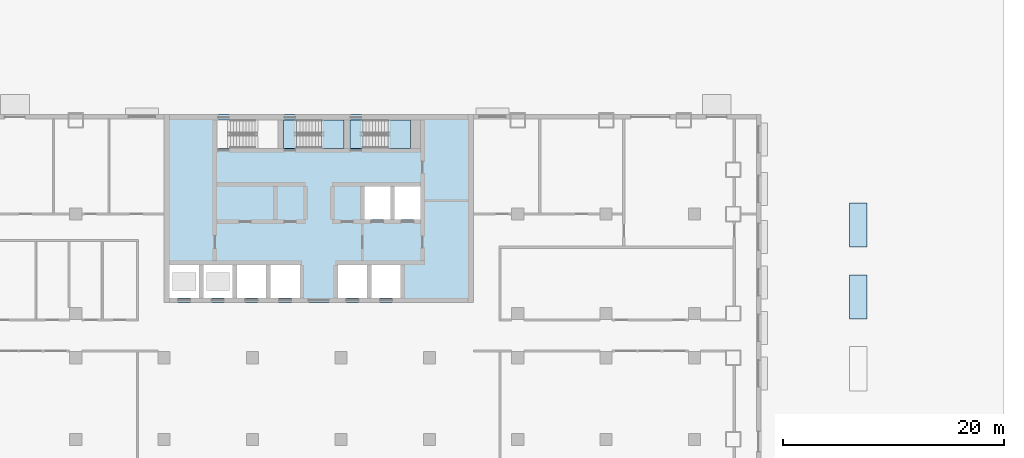
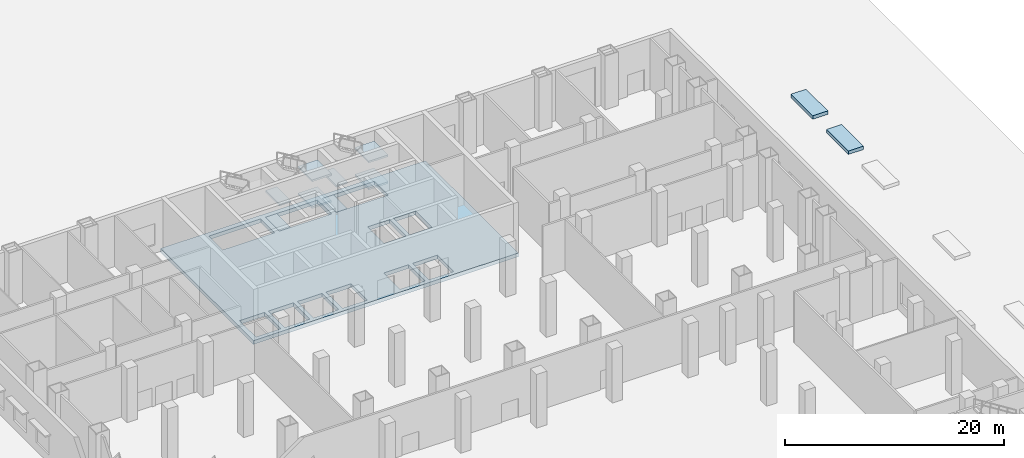
# One storey, part 2 of 18: 11 slabs, 2 elements without a shape of their own.
"""IFC4 building model written with IfcOpenShell, lengths in metres."""

from ifc_helpers import new_model, si_unit, direction, frame, origin, place, context, subcontext, project, spatial, polyline, outline, extrude, material, layer, layer_set, type_object, element, aggregate, save


model = new_model("IFC4")

# Units and contexts
model_context = context("Model", 3, precision=1e-05, world=origin(), true_north=direction((0.0, 1.0)))
body_context = subcontext(model_context, "Body", "Model", "MODEL_VIEW")
ifc_project = project(units=[si_unit("LENGTHUNIT", "METRE"), si_unit("AREAUNIT", "SQUARE_METRE"), si_unit("VOLUMEUNIT", "CUBIC_METRE"), si_unit("PLANEANGLEUNIT", "RADIAN"), si_unit("MASSUNIT", "GRAM", prefix="KILO")], contexts=[model_context])

# Site, building, storey
site_placement = place(None, origin())
site = spatial("IfcSite", under=ifc_project, at=site_placement, CompositionType="ELEMENT")
building_placement = place(site_placement, origin())
building = spatial("IfcBuilding", under=site, at=building_placement, Name="Vidyagriha Tower", CompositionType="ELEMENT")
storey_placement = place(building_placement, origin())
storey = spatial("IfcBuildingStorey", under=building, at=storey_placement, Name="L00", CompositionType="ELEMENT", Elevation=0.0)

# Slabs
ifc_material_1 = material(Name="Concrete C60/75", Category="concrete")
ifc_layer_1 = layer(ifc_material_1, 0.419921875)
ifc_layer_set_1 = layer_set([ifc_layer_1], Name="Concrete C60/75")
slab_type_1 = type_object("IfcSlabType", Name="Core floor slab 420 mm", PredefinedType="FLOOR", material=ifc_layer_set_1)
slab_1_placement = place(storey_placement, frame((0.0, 0.0, -0.419921875)))
element("IfcSlab", 1, at=slab_1_placement, inside=storey, type_object=slab_type_1, Name="L00 core floor 1", PredefinedType="FLOOR", context=body_context, shape_type="SweptSolid", body=[
    extrude(outline(polyline([(-14.0, 3.0), (-14.0, 20.0), (14.0, 20.0), (14.0, 3.0), (-14.0, 3.0)]), holes=[polyline([(9.199951171875, 13.5), (6.86669921875, 13.5), (6.86669921875, 10.5), (9.199951171875, 10.5), (9.199951171875, 13.5)]), polyline([(4.0, 19.5), (2.800048828125, 19.5), (2.800048828125, 16.949951171875), (4.0, 16.949951171875), (8.300048828125, 16.949951171875), (8.300048828125, 19.5), (4.0, 19.5)]), polyline([(7.4111328125, 6.39990234375), (4.7666015625, 6.39990234375), (4.7666015625, 3.39990234375), (7.4111328125, 3.39990234375), (7.4111328125, 6.39990234375)]), polyline([(6.466796875, 13.5), (4.13330078125, 13.5), (4.13330078125, 10.5), (6.466796875, 10.5), (6.466796875, 13.5)]), polyline([(1.72216796875, 6.39990234375), (1.72216796875, 3.39990234375), (4.36669921875, 3.39990234375), (4.36669921875, 6.39990234375), (1.72216796875, 6.39990234375)]), polyline([(-2.0, 16.949951171875), (2.300048828125, 16.949951171875), (2.300048828125, 19.5), (-2.0, 19.5), (-3.199951171875, 19.5), (-3.199951171875, 16.949951171875), (-2.0, 16.949951171875)]), polyline([(-1.72216796875, 6.39990234375), (-4.36669921875, 6.39990234375), (-4.36669921875, 3.39990234375), (-1.72216796875, 3.39990234375), (-1.72216796875, 6.39990234375)]), polyline([(-8.0, 19.5), (-9.199951171875, 19.5), (-9.199951171875, 16.949951171875), (-8.0, 16.949951171875), (-3.699951171875, 16.949951171875), (-3.699951171875, 19.5), (-8.0, 19.5)]), polyline([(-4.7666015625, 6.39990234375), (-7.4111328125, 6.39990234375), (-7.4111328125, 3.39990234375), (-4.7666015625, 3.39990234375), (-4.7666015625, 6.39990234375)]), polyline([(-7.81103515625, 6.39990234375), (-10.45556640625, 6.39990234375), (-10.45556640625, 3.39990234375), (-7.81103515625, 3.39990234375), (-7.81103515625, 6.39990234375)]), polyline([(-13.5, 6.39990234375), (-13.5, 3.39990234375), (-10.855712890625, 3.39990234375), (-10.855712890625, 6.39990234375), (-13.5, 6.39990234375)])]), origin(), (0.0, 0.0, 1.0), 0.419921875),
])
ifc_material_2 = material(Name="Concrete C40/50", Category="concrete")
ifc_layer_2 = layer(ifc_material_2, 0.419921875)
ifc_layer_set_2 = layer_set([ifc_layer_2], Name="Concrete C40/50")
slab_type_2 = type_object("IfcSlabType", Name="Exit stair floor landing 420 mm", PredefinedType="LANDING", material=ifc_layer_set_2)
slab_2_placement = place(storey_placement, frame((0.0, 0.0, -0.419921875)))
element("IfcSlab", 2, at=slab_2_placement, inside=storey, type_object=slab_type_2, Name="ST2 floor landing L00", PredefinedType="LANDING", context=body_context, shape_type="SweptSolid", body=[
    extrude(outline(polyline([(-3.199951171875, 16.949951171875), (-2.0, 16.949951171875), (-2.0, 19.5), (-3.199951171875, 19.5), (-3.199951171875, 16.949951171875)])), origin(), (0.0, 0.0, 1.0), 0.419921875),
])
slab_3_placement = place(storey_placement, frame((0.0, 0.0, -0.419921875)))
element("IfcSlab", 3, at=slab_3_placement, inside=storey, type_object=slab_type_2, Name="ST3 floor landing L00", PredefinedType="LANDING", context=body_context, shape_type="SweptSolid", body=[
    extrude(outline(polyline([(2.800048828125, 16.949951171875), (4.0, 16.949951171875), (4.0, 19.5), (2.800048828125, 19.5), (2.800048828125, 16.949951171875)])), origin(), (0.0, 0.0, 1.0), 0.419921875),
])

# Stair, slabs
ifc_material_3 = material(Name="Concrete C40/50", Category="concrete")
stair_type = type_object("IfcStairType", Name="Exit stair, half-turn, precast flights", PredefinedType="HALF_TURN_STAIR", material=ifc_material_3)
stair_1_placement = place(storey_placement, origin())
stair_1 = element("IfcStair", 4, at=stair_1_placement, inside=storey, type_object=stair_type, Name="L00 Exit Stair ST2", PredefinedType="HALF_TURN_STAIR")
ifc_material_4 = material(Name="Concrete C40/50", Category="concrete")
ifc_layer_3 = layer(ifc_material_4, 0.199951171875)
ifc_layer_set_3 = layer_set([ifc_layer_3], Name="Concrete C40/50")
slab_type_3 = type_object("IfcSlabType", Name="Exit stair landing 200 mm", PredefinedType="LANDING", material=ifc_layer_set_3)
slab_4_placement = place(storey_placement, frame((0.0, 0.0, 1.300048828125)))
slab_4 = element("IfcSlab", 5, at=slab_4_placement, type_object=slab_type_3, Name="ST2 landing 1", PredefinedType="LANDING", context=body_context, shape_type="SweptSolid", body=[
    extrude(outline(polyline([(0.239990234375, 16.949951171875), (2.300048828125, 16.949951171875), (2.300048828125, 19.5), (0.239990234375, 19.5), (0.239990234375, 16.949951171875)])), origin(), (0.0, 0.0, 1.0), 0.199951171875),
])
slab_5_placement = place(storey_placement, frame((0.0, 0.0, 2.800048828125)))
slab_5 = element("IfcSlab", 6, at=slab_5_placement, type_object=slab_type_3, Name="ST2 landing 2", PredefinedType="LANDING", context=body_context, shape_type="SweptSolid", body=[
    extrude(outline(polyline([(-3.199951171875, 16.949951171875), (-2.0, 16.949951171875), (-2.0, 19.5), (-3.199951171875, 19.5), (-3.199951171875, 16.949951171875)])), origin(), (0.0, 0.0, 1.0), 0.199951171875),
])
slab_6_placement = place(storey_placement, frame((0.0, 0.0, 4.300048828125)))
slab_6 = element("IfcSlab", 7, at=slab_6_placement, type_object=slab_type_3, Name="ST2 landing 3", PredefinedType="LANDING", context=body_context, shape_type="SweptSolid", body=[
    extrude(outline(polyline([(0.239990234375, 16.949951171875), (2.300048828125, 16.949951171875), (2.300048828125, 19.5), (0.239990234375, 19.5), (0.239990234375, 16.949951171875)])), origin(), (0.0, 0.0, 1.0), 0.199951171875),
])
aggregate(stair_1, [slab_4, slab_5, slab_6])

stair_2_placement = place(storey_placement, origin())
stair_2 = element("IfcStair", 8, at=stair_2_placement, inside=storey, type_object=stair_type, Name="L00 Exit Stair ST3", PredefinedType="HALF_TURN_STAIR")
slab_7_placement = place(storey_placement, frame((0.0, 0.0, 1.300048828125)))
slab_7 = element("IfcSlab", 9, at=slab_7_placement, type_object=slab_type_3, Name="ST3 landing 1", PredefinedType="LANDING", context=body_context, shape_type="SweptSolid", body=[
    extrude(outline(polyline([(6.239990234375, 16.949951171875), (8.300048828125, 16.949951171875), (8.300048828125, 19.5), (6.239990234375, 19.5), (6.239990234375, 16.949951171875)])), origin(), (0.0, 0.0, 1.0), 0.199951171875),
])
slab_8_placement = place(storey_placement, frame((0.0, 0.0, 2.800048828125)))
slab_8 = element("IfcSlab", 10, at=slab_8_placement, type_object=slab_type_3, Name="ST3 landing 2", PredefinedType="LANDING", context=body_context, shape_type="SweptSolid", body=[
    extrude(outline(polyline([(2.800048828125, 16.949951171875), (4.0, 16.949951171875), (4.0, 19.5), (2.800048828125, 19.5), (2.800048828125, 16.949951171875)])), origin(), (0.0, 0.0, 1.0), 0.199951171875),
])
slab_9_placement = place(storey_placement, frame((0.0, 0.0, 4.300048828125)))
slab_9 = element("IfcSlab", 11, at=slab_9_placement, type_object=slab_type_3, Name="ST3 landing 3", PredefinedType="LANDING", context=body_context, shape_type="SweptSolid", body=[
    extrude(outline(polyline([(6.239990234375, 16.949951171875), (8.300048828125, 16.949951171875), (8.300048828125, 19.5), (6.239990234375, 19.5), (6.239990234375, 16.949951171875)])), origin(), (0.0, 0.0, 1.0), 0.199951171875),
])
aggregate(stair_2, [slab_7, slab_8, slab_9])

# Slabs
ifc_material_5 = material(Name="Precast concrete C30/37 with brick facing", Category="concrete")
ifc_layer_4 = layer(ifc_material_5, 0.3798828125)
ifc_layer_set_4 = layer_set([ifc_layer_4], Name="Precast concrete C30/37 with brick facing")
slab_type_4 = type_object("IfcSlabType", Name="Raised planter bed 380 mm", PredefinedType="USERDEFINED", material=ifc_layer_set_4)
slab_10_placement = place(storey_placement, origin())
element("IfcSlab", 12, at=slab_10_placement, inside=storey, type_object=slab_type_4, Name="Planter bed E06", ObjectType="PLANTER", PredefinedType="USERDEFINED", context=body_context, shape_type="SweptSolid", body=[
    extrude(outline(polyline([(48.0, 1.5), (49.60009765625, 1.5), (49.60009765625, 5.5), (48.0, 5.5), (48.0, 1.5)])), origin(), (0.0, 0.0, 1.0), 0.3798828125),
])
slab_11_placement = place(storey_placement, origin())
element("IfcSlab", 13, at=slab_11_placement, inside=storey, type_object=slab_type_4, Name="Planter bed E07", ObjectType="PLANTER", PredefinedType="USERDEFINED", context=body_context, shape_type="SweptSolid", body=[
    extrude(outline(polyline([(48.0, 8.0), (49.60009765625, 8.0), (49.60009765625, 12.0), (48.0, 12.0), (48.0, 8.0)])), origin(), (0.0, 0.0, 1.0), 0.3798828125),
])

save(model, "model.ifc")
